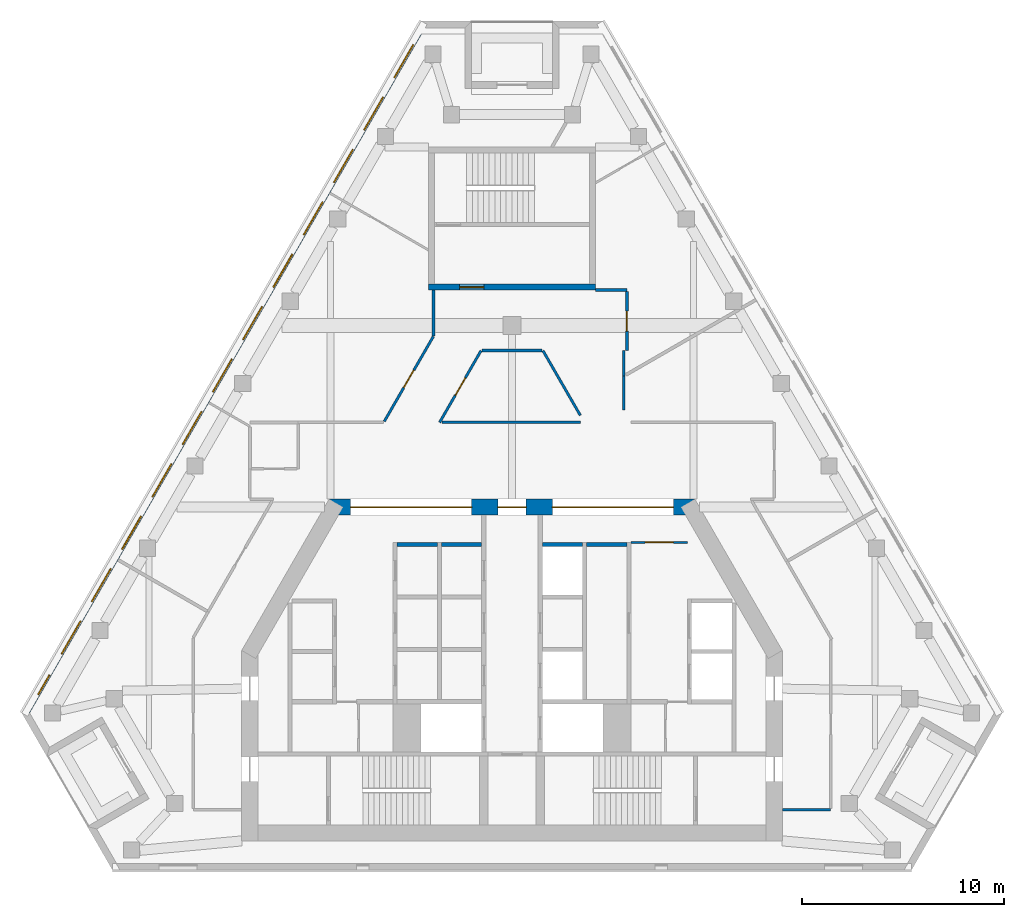
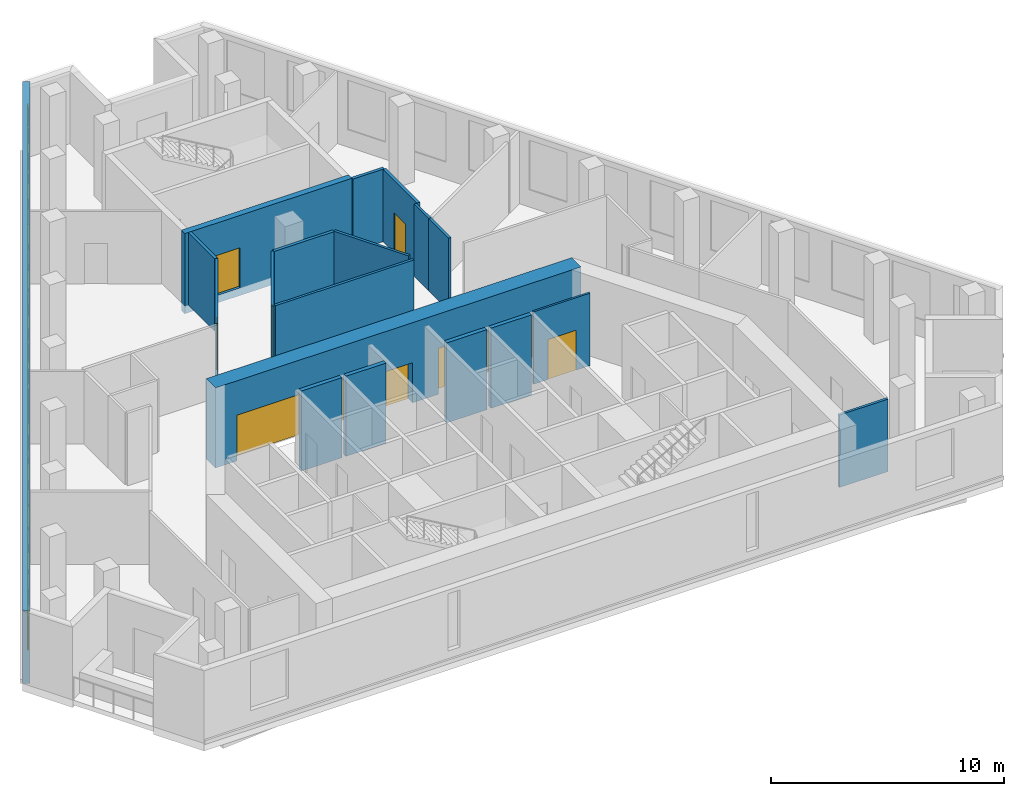
# One storey, part 4 of 8: 19 walls, 13 windows, 8 doors, 21 openings.
"""IFC4 building model written with IfcOpenShell, lengths in metres."""

from ifc_helpers import new_model, si_unit, direction, frame, frame_2d, origin, place, context, subcontext, project, spatial, rectangle, extrude, material, layer, layer_set, type_object, element, fill, save


model = new_model("IFC4")

# Units and contexts
model_context = context("Model", 3, precision=1e-05, world=origin(), true_north=direction((0.0, 1.0)))
body_context = subcontext(model_context, "Body", "Model", "MODEL_VIEW")
ifc_project = project(units=[si_unit("LENGTHUNIT", "METRE"), si_unit("AREAUNIT", "SQUARE_METRE"), si_unit("VOLUMEUNIT", "CUBIC_METRE"), si_unit("PLANEANGLEUNIT", "RADIAN"), si_unit("MASSUNIT", "GRAM", prefix="KILO")], contexts=[model_context])

# Site, building, storey
site_placement = place(None, origin())
site = spatial("IfcSite", under=ifc_project, at=site_placement, CompositionType="ELEMENT")
building_placement = place(site_placement, origin())
building = spatial("IfcBuilding", under=site, at=building_placement, Name="Fogline Exchange Tower", CompositionType="ELEMENT")
storey_placement = place(building_placement, frame((0.0, 0.0, 330.89990234375)))
storey = spatial("IfcBuildingStorey", under=building, at=storey_placement, Name="L75", CompositionType="ELEMENT", Elevation=330.89990234375)

# Wall, opening, door
ifc_material_1 = material(Name="Blockwork partition", Category="masonry")
ifc_layer_1 = layer(ifc_material_1, 0.10009765625)
ifc_layer_set_1 = layer_set([ifc_layer_1], Name="CW10")
wall_type_1 = type_object("IfcWallType", Name="CW10", PredefinedType="PARTITIONING", material=ifc_layer_set_1)
wall_1_placement = place(storey_placement, frame((5.89990234375, 16.25, 0.0), z_axis=(0.0, 0.0, 1.0), x_axis=(1.0, 0.0, 0.0)))
wall_1 = element("IfcWall", 1, at=wall_1_placement, inside=storey, type_object=wall_type_1, Name="Lift lobby partition", PredefinedType="PARTITIONING", context=body_context, shape_type="SweptSolid", body=[
    extrude(rectangle(XDim=2.800048828125, YDim=0.10009765625, at=frame_2d((1.39990234375, 0.0))), origin(), (0.0, 0.0, 1.0), 3.800048828125),
])
opening_1_placement = place(wall_1_placement, frame((0.699951171875, 0.0, 0.0)))
opening_1 = element("IfcOpeningElement", 2, at=opening_1_placement, cuts=wall_1, Name="Opening T23-C017", PredefinedType="OPENING", context=body_context, shape_type="SweptSolid", body=[
    extrude(rectangle(XDim=1.39990234375, YDim=2.10009765625, at=frame_2d((0.699951171875, 1.050048828125))), frame((0.0, 0.06005859375, 0.0), z_axis=(0.0, -1.0, 0.0), x_axis=(1.0, 0.0, 0.0)), (0.0, 0.0, 1.0), 0.1201171875),
])
ifc_material_2 = material(Name="Steel and timber fire door", Category="steel")
door_type_1 = type_object("IfcDoorType", Name="D-LB1", OperationType="DOUBLE_DOOR_SINGLE_SWING", PredefinedType="DOOR", material=ifc_material_2)
door_1_placement = place(opening_1_placement, origin())
door_1 = element("IfcDoor", 3, at=door_1_placement, inside=storey, type_object=door_type_1, Name="Door to lift lobby", OperationType="DOUBLE_DOOR_SINGLE_SWING", OverallHeight=2.10009765625, OverallWidth=1.39990234375, PredefinedType="DOOR", context=body_context, shape_type="SweptSolid", body=[
    extrude(rectangle(XDim=1.39990234375, YDim=2.10009765625, at=frame_2d((0.699951171875, 1.050048828125))), frame((0.0, 0.02490234375, 0.0), z_axis=(0.0, -1.0, 0.0), x_axis=(1.0, 0.0, 0.0)), (0.0, 0.0, 1.0), 0.050048828125),
])
fill(opening_1, door_1)

# Walls
ifc_material_3 = material(Name="Concrete C40", Category="concrete")
ifc_layer_2 = layer(ifc_material_3, 0.199951171875)
ifc_layer_set_2 = layer_set([ifc_layer_2], Name="CW20S")
wall_type_2 = type_object("IfcWallType", Name="CW20S", PredefinedType="SOLIDWALL", material=ifc_layer_set_2)
for number, where, z_axis, x_axis, name in (
    (4, (-5.699951171875, 16.14990234375, -0.39990234375), (0.0, 0.0, 1.0), (1.0, 0.0, 0.0), "Lift shaft wall"),
    (5, (-3.5, 16.14990234375, -0.39990234375), (0.0, 0.0, 1.0), (1.0, 0.0, 0.0), "Lift shaft wall"),
    (6, (3.699951171875, 16.14990234375, -0.39990234375), (0.0, 0.0, 1.0), (1.0, 0.0, 0.0), "Lift shaft wall"),
    (7, (1.5, 16.14990234375, -0.39990234375), (0.0, 0.0, 1.0), (1.0, 0.0, 0.0), "Lift shaft wall"),
):
    element("IfcWall", number, at=place(storey_placement, frame(where, z_axis=z_axis, x_axis=x_axis)), inside=storey, type_object=wall_type_2, Name=name, PredefinedType="SOLIDWALL", context=body_context, shape_type="SweptSolid", body=[
        extrude(rectangle(XDim=2.0, YDim=0.199951171875, at=frame_2d((1.0, 0.0))), origin(), (0.0, 0.0, 1.0), 4.199951171875),
    ])

# Wall, opening, door
ifc_layer_3 = layer(ifc_material_3, 0.300048828125)
ifc_layer_set_3 = layer_set([ifc_layer_3], Name="CW30")
wall_type_3 = type_object("IfcWallType", Name="CW30", PredefinedType="SOLIDWALL", material=ifc_layer_set_3)
wall_2_placement = place(storey_placement, frame((-4.14990234375, 28.906982421875, -0.39990234375), z_axis=(0.0, 0.0, 1.0), x_axis=(1.0, 0.0, 0.0)))
wall_2 = element("IfcWall", 8, at=wall_2_placement, inside=storey, type_object=wall_type_3, Name="Stair enclosure wall ST3", PredefinedType="SOLIDWALL", context=body_context, shape_type="SweptSolid", body=[
    extrude(rectangle(XDim=8.2998046875, YDim=0.300048828125, at=frame_2d((4.14990234375, 0.0))), origin(), (0.0, 0.0, 1.0), 4.199951171875),
])
opening_2_placement = place(wall_2_placement, frame((1.550048828125, 0.0, 0.39990234375)))
opening_2 = element("IfcOpeningElement", 9, at=opening_2_placement, cuts=wall_2, Name="Opening T23-C026", PredefinedType="OPENING", context=body_context, shape_type="SweptSolid", body=[
    extrude(rectangle(XDim=1.199951171875, YDim=2.10009765625, at=frame_2d((0.60009765625, 1.050048828125))), frame((0.0, 0.16015625, 0.0), z_axis=(0.0, -1.0, 0.0), x_axis=(1.0, 0.0, 0.0)), (0.0, 0.0, 1.0), 0.320068359375),
])
door_type_2 = type_object("IfcDoorType", Name="D-FR1", OperationType="SINGLE_SWING_RIGHT", PredefinedType="DOOR", material=ifc_material_2)
door_2_placement = place(opening_2_placement, origin())
door_2 = element("IfcDoor", 10, at=door_2_placement, inside=storey, type_object=door_type_2, Name="Front room door ST3", OperationType="SINGLE_SWING_LEFT", OverallHeight=2.10009765625, OverallWidth=1.199951171875, PredefinedType="DOOR", context=body_context, shape_type="SweptSolid", body=[
    extrude(rectangle(XDim=1.199951171875, YDim=2.10009765625, at=frame_2d((0.60009765625, 1.050048828125))), frame((0.0, 0.02490234375, 0.0), z_axis=(0.0, -1.0, 0.0), x_axis=(1.0, 0.0, 0.0)), (0.0, 0.0, 1.0), 0.050048828125),
])
fill(opening_2, door_2)

# Wall, openings, windows
ifc_material_4 = material(Name="Brick masonry", Category="masonry")
ifc_layer_4 = layer(ifc_material_4, 0.340087890625)
ifc_layer_set_4 = layer_set([ifc_layer_4], Name="FW1")
wall_type_4 = type_object("IfcWallType", Name="FW1", PredefinedType="SOLIDWALL", material=ifc_layer_set_4)
wall_3_placement = place(storey_placement, frame((-4.352783203125, 42.0166015625, 0.0), z_axis=(0.0, 0.0, 1.0), x_axis=(-0.500000037544, -0.866025382108, 0.0)))
wall_3 = element("IfcWall", 11, at=wall_3_placement, inside=storey, type_object=wall_type_4, Name="Brick wall L75 W", PredefinedType="SOLIDWALL", context=body_context, shape_type="SweptSolid", body=[
    extrude(rectangle(XDim=39.61474609375, YDim=0.340087890625, at=frame_2d((19.807373046875, 0.0))), origin(), (0.0, 0.0, 1.0), 3.800048828125),
])
opening_3_placement = place(wall_3_placement, frame((1.211181640625, 0.0, 0.89990234375)))
opening_3 = element("IfcOpeningElement", 12, at=opening_3_placement, cuts=wall_3, Name="Opening W3", PredefinedType="OPENING", context=body_context, shape_type="SweptSolid", body=[
    extrude(rectangle(XDim=1.885009765625, YDim=2.60009765625, at=frame_2d((0.9423828125, 1.300048828125))), frame((0.0, 0.18017578125, 0.0), z_axis=(0.0, -1.0, 0.0), x_axis=(1.0, 0.0, 0.0)), (0.0, 0.0, 1.0), 0.360107421875),
])
opening_4_placement = place(wall_3_placement, frame((4.211181640625, 0.0, 0.89990234375)))
opening_4 = element("IfcOpeningElement", 13, at=opening_4_placement, cuts=wall_3, Name="Opening W3", PredefinedType="OPENING", context=body_context, shape_type="SweptSolid", body=[
    extrude(rectangle(XDim=1.885009765625, YDim=2.60009765625, at=frame_2d((0.9423828125, 1.300048828125))), frame((0.0, 0.18017578125, 0.0), z_axis=(0.0, -1.0, 0.0), x_axis=(1.0, 0.0, 0.0)), (0.0, 0.0, 1.0), 0.360107421875),
])
opening_5_placement = place(wall_3_placement, frame((7.211181640625, 0.0, 0.89990234375)))
opening_5 = element("IfcOpeningElement", 14, at=opening_5_placement, cuts=wall_3, Name="Opening W3", PredefinedType="OPENING", context=body_context, shape_type="SweptSolid", body=[
    extrude(rectangle(XDim=1.885009765625, YDim=2.60009765625, at=frame_2d((0.9423828125, 1.300048828125))), frame((0.0, 0.18017578125, 0.0), z_axis=(0.0, -1.0, 0.0), x_axis=(1.0, 0.0, 0.0)), (0.0, 0.0, 1.0), 0.360107421875),
])
opening_6_placement = place(wall_3_placement, frame((10.211181640625, 0.0, 0.89990234375)))
opening_6 = element("IfcOpeningElement", 15, at=opening_6_placement, cuts=wall_3, Name="Opening W3", PredefinedType="OPENING", context=body_context, shape_type="SweptSolid", body=[
    extrude(rectangle(XDim=1.885009765625, YDim=2.60009765625, at=frame_2d((0.9423828125, 1.300048828125))), frame((0.0, 0.18017578125, 0.0), z_axis=(0.0, -1.0, 0.0), x_axis=(1.0, 0.0, 0.0)), (0.0, 0.0, 1.0), 0.360107421875),
])
opening_7_placement = place(wall_3_placement, frame((13.211181640625, 0.0, 0.89990234375)))
opening_7 = element("IfcOpeningElement", 16, at=opening_7_placement, cuts=wall_3, Name="Opening W3", PredefinedType="OPENING", context=body_context, shape_type="SweptSolid", body=[
    extrude(rectangle(XDim=1.885009765625, YDim=2.60009765625, at=frame_2d((0.9423828125, 1.300048828125))), frame((0.0, 0.18017578125, 0.0), z_axis=(0.0, -1.0, 0.0), x_axis=(1.0, 0.0, 0.0)), (0.0, 0.0, 1.0), 0.360107421875),
])
opening_8_placement = place(wall_3_placement, frame((16.211181640625, 0.0, 0.89990234375)))
opening_8 = element("IfcOpeningElement", 17, at=opening_8_placement, cuts=wall_3, Name="Opening W3", PredefinedType="OPENING", context=body_context, shape_type="SweptSolid", body=[
    extrude(rectangle(XDim=1.885009765625, YDim=2.60009765625, at=frame_2d((0.9423828125, 1.300048828125))), frame((0.0, 0.18017578125, 0.0), z_axis=(0.0, -1.0, 0.0), x_axis=(1.0, 0.0, 0.0)), (0.0, 0.0, 1.0), 0.360107421875),
])
opening_9_placement = place(wall_3_placement, frame((19.211181640625, 0.0, 0.89990234375)))
opening_9 = element("IfcOpeningElement", 18, at=opening_9_placement, cuts=wall_3, Name="Opening W3", PredefinedType="OPENING", context=body_context, shape_type="SweptSolid", body=[
    extrude(rectangle(XDim=1.885009765625, YDim=2.60009765625, at=frame_2d((0.9423828125, 1.300048828125))), frame((0.0, 0.18017578125, 0.0), z_axis=(0.0, -1.0, 0.0), x_axis=(1.0, 0.0, 0.0)), (0.0, 0.0, 1.0), 0.360107421875),
])
opening_10_placement = place(wall_3_placement, frame((22.211181640625, 0.0, 0.89990234375)))
opening_10 = element("IfcOpeningElement", 19, at=opening_10_placement, cuts=wall_3, Name="Opening W3", PredefinedType="OPENING", context=body_context, shape_type="SweptSolid", body=[
    extrude(rectangle(XDim=1.885009765625, YDim=2.60009765625, at=frame_2d((0.9423828125, 1.300048828125))), frame((0.0, 0.18017578125, 0.0), z_axis=(0.0, -1.0, 0.0), x_axis=(1.0, 0.0, 0.0)), (0.0, 0.0, 1.0), 0.360107421875),
])
opening_11_placement = place(wall_3_placement, frame((25.211181640625, 0.0, 0.89990234375)))
opening_11 = element("IfcOpeningElement", 20, at=opening_11_placement, cuts=wall_3, Name="Opening W3", PredefinedType="OPENING", context=body_context, shape_type="SweptSolid", body=[
    extrude(rectangle(XDim=1.885009765625, YDim=2.60009765625, at=frame_2d((0.9423828125, 1.300048828125))), frame((0.0, 0.18017578125, 0.0), z_axis=(0.0, -1.0, 0.0), x_axis=(1.0, 0.0, 0.0)), (0.0, 0.0, 1.0), 0.360107421875),
])
opening_12_placement = place(wall_3_placement, frame((28.211181640625, 0.0, 0.89990234375)))
opening_12 = element("IfcOpeningElement", 21, at=opening_12_placement, cuts=wall_3, Name="Opening W3", PredefinedType="OPENING", context=body_context, shape_type="SweptSolid", body=[
    extrude(rectangle(XDim=1.885009765625, YDim=2.60009765625, at=frame_2d((0.9423828125, 1.300048828125))), frame((0.0, 0.18017578125, 0.0), z_axis=(0.0, -1.0, 0.0), x_axis=(1.0, 0.0, 0.0)), (0.0, 0.0, 1.0), 0.360107421875),
])
opening_13_placement = place(wall_3_placement, frame((31.211181640625, 0.0, 0.89990234375)))
opening_13 = element("IfcOpeningElement", 22, at=opening_13_placement, cuts=wall_3, Name="Opening W3", PredefinedType="OPENING", context=body_context, shape_type="SweptSolid", body=[
    extrude(rectangle(XDim=1.885009765625, YDim=2.60009765625, at=frame_2d((0.9423828125, 1.300048828125))), frame((0.0, 0.18017578125, 0.0), z_axis=(0.0, -1.0, 0.0), x_axis=(1.0, 0.0, 0.0)), (0.0, 0.0, 1.0), 0.360107421875),
])
opening_14_placement = place(wall_3_placement, frame((34.211181640625, 0.0, 0.89990234375)))
opening_14 = element("IfcOpeningElement", 23, at=opening_14_placement, cuts=wall_3, Name="Opening W3", PredefinedType="OPENING", context=body_context, shape_type="SweptSolid", body=[
    extrude(rectangle(XDim=1.885009765625, YDim=2.60009765625, at=frame_2d((0.9423828125, 1.300048828125))), frame((0.0, 0.18017578125, 0.0), z_axis=(0.0, -1.0, 0.0), x_axis=(1.0, 0.0, 0.0)), (0.0, 0.0, 1.0), 0.360107421875),
])
opening_15_placement = place(wall_3_placement, frame((37.2978515625, 0.0, 0.89990234375)))
opening_15 = element("IfcOpeningElement", 24, at=opening_15_placement, cuts=wall_3, Name="Opening W4", PredefinedType="OPENING", context=body_context, shape_type="SweptSolid", body=[
    extrude(rectangle(XDim=1.114990234375, YDim=2.39990234375, at=frame_2d((0.5576171875, 1.199951171875))), frame((0.0, 0.18017578125, 0.0), z_axis=(0.0, -1.0, 0.0), x_axis=(1.0, 0.0, 0.0)), (0.0, 0.0, 1.0), 0.360107421875),
])
ifc_material_5 = material(Name="Aluminium and glass", Category="aluminium")
window_type_1 = type_object("IfcWindowType", Name="W3", PartitioningType="SINGLE_PANEL", PredefinedType="WINDOW", material=ifc_material_5)
window_1_placement = place(opening_3_placement, origin())
window_1 = element("IfcWindow", 25, at=window_1_placement, inside=storey, type_object=window_type_1, Name="W3 W3", OverallHeight=2.60009765625, OverallWidth=1.885009765625, PartitioningType="SINGLE_PANEL", PredefinedType="WINDOW", context=body_context, shape_type="SweptSolid", body=[
    extrude(rectangle(XDim=1.885009765625, YDim=2.60009765625, at=frame_2d((0.9423828125, 1.300048828125))), frame((0.0, 0.110107421875, 0.0), z_axis=(0.0, -1.0, 0.0), x_axis=(1.0, 0.0, 0.0)), (0.0, 0.0, 1.0), 0.06005859375),
])
fill(opening_3, window_1)
window_2_placement = place(opening_4_placement, origin())
window_2 = element("IfcWindow", 26, at=window_2_placement, inside=storey, type_object=window_type_1, Name="W3 W3", OverallHeight=2.60009765625, OverallWidth=1.885009765625, PartitioningType="SINGLE_PANEL", PredefinedType="WINDOW", context=body_context, shape_type="SweptSolid", body=[
    extrude(rectangle(XDim=1.885009765625, YDim=2.60009765625, at=frame_2d((0.9423828125, 1.300048828125))), frame((0.0, 0.110107421875, 0.0), z_axis=(0.0, -1.0, 0.0), x_axis=(1.0, 0.0, 0.0)), (0.0, 0.0, 1.0), 0.06005859375),
])
fill(opening_4, window_2)
window_3_placement = place(opening_5_placement, origin())
window_3 = element("IfcWindow", 27, at=window_3_placement, inside=storey, type_object=window_type_1, Name="W3 W3", OverallHeight=2.60009765625, OverallWidth=1.885009765625, PartitioningType="SINGLE_PANEL", PredefinedType="WINDOW", context=body_context, shape_type="SweptSolid", body=[
    extrude(rectangle(XDim=1.885009765625, YDim=2.60009765625, at=frame_2d((0.9423828125, 1.300048828125))), frame((0.0, 0.110107421875, 0.0), z_axis=(0.0, -1.0, 0.0), x_axis=(1.0, 0.0, 0.0)), (0.0, 0.0, 1.0), 0.06005859375),
])
fill(opening_5, window_3)
window_4_placement = place(opening_6_placement, origin())
window_4 = element("IfcWindow", 28, at=window_4_placement, inside=storey, type_object=window_type_1, Name="W3 W3", OverallHeight=2.60009765625, OverallWidth=1.885009765625, PartitioningType="SINGLE_PANEL", PredefinedType="WINDOW", context=body_context, shape_type="SweptSolid", body=[
    extrude(rectangle(XDim=1.885009765625, YDim=2.60009765625, at=frame_2d((0.9423828125, 1.300048828125))), frame((0.0, 0.110107421875, 0.0), z_axis=(0.0, -1.0, 0.0), x_axis=(1.0, 0.0, 0.0)), (0.0, 0.0, 1.0), 0.06005859375),
])
fill(opening_6, window_4)
window_5_placement = place(opening_7_placement, origin())
window_5 = element("IfcWindow", 29, at=window_5_placement, inside=storey, type_object=window_type_1, Name="W3 W3", OverallHeight=2.60009765625, OverallWidth=1.885009765625, PartitioningType="SINGLE_PANEL", PredefinedType="WINDOW", context=body_context, shape_type="SweptSolid", body=[
    extrude(rectangle(XDim=1.885009765625, YDim=2.60009765625, at=frame_2d((0.9423828125, 1.300048828125))), frame((0.0, 0.110107421875, 0.0), z_axis=(0.0, -1.0, 0.0), x_axis=(1.0, 0.0, 0.0)), (0.0, 0.0, 1.0), 0.06005859375),
])
fill(opening_7, window_5)
window_6_placement = place(opening_8_placement, origin())
window_6 = element("IfcWindow", 30, at=window_6_placement, inside=storey, type_object=window_type_1, Name="W3 W3", OverallHeight=2.60009765625, OverallWidth=1.885009765625, PartitioningType="SINGLE_PANEL", PredefinedType="WINDOW", context=body_context, shape_type="SweptSolid", body=[
    extrude(rectangle(XDim=1.885009765625, YDim=2.60009765625, at=frame_2d((0.9423828125, 1.300048828125))), frame((0.0, 0.110107421875, 0.0), z_axis=(0.0, -1.0, 0.0), x_axis=(1.0, 0.0, 0.0)), (0.0, 0.0, 1.0), 0.06005859375),
])
fill(opening_8, window_6)
window_7_placement = place(opening_9_placement, origin())
window_7 = element("IfcWindow", 31, at=window_7_placement, inside=storey, type_object=window_type_1, Name="W3 W3", OverallHeight=2.60009765625, OverallWidth=1.885009765625, PartitioningType="SINGLE_PANEL", PredefinedType="WINDOW", context=body_context, shape_type="SweptSolid", body=[
    extrude(rectangle(XDim=1.885009765625, YDim=2.60009765625, at=frame_2d((0.9423828125, 1.300048828125))), frame((0.0, 0.110107421875, 0.0), z_axis=(0.0, -1.0, 0.0), x_axis=(1.0, 0.0, 0.0)), (0.0, 0.0, 1.0), 0.06005859375),
])
fill(opening_9, window_7)
window_8_placement = place(opening_10_placement, origin())
window_8 = element("IfcWindow", 32, at=window_8_placement, inside=storey, type_object=window_type_1, Name="W3 W3", OverallHeight=2.60009765625, OverallWidth=1.885009765625, PartitioningType="SINGLE_PANEL", PredefinedType="WINDOW", context=body_context, shape_type="SweptSolid", body=[
    extrude(rectangle(XDim=1.885009765625, YDim=2.60009765625, at=frame_2d((0.9423828125, 1.300048828125))), frame((0.0, 0.110107421875, 0.0), z_axis=(0.0, -1.0, 0.0), x_axis=(1.0, 0.0, 0.0)), (0.0, 0.0, 1.0), 0.06005859375),
])
fill(opening_10, window_8)
window_9_placement = place(opening_11_placement, origin())
window_9 = element("IfcWindow", 33, at=window_9_placement, inside=storey, type_object=window_type_1, Name="W3 W3", OverallHeight=2.60009765625, OverallWidth=1.885009765625, PartitioningType="SINGLE_PANEL", PredefinedType="WINDOW", context=body_context, shape_type="SweptSolid", body=[
    extrude(rectangle(XDim=1.885009765625, YDim=2.60009765625, at=frame_2d((0.9423828125, 1.300048828125))), frame((0.0, 0.110107421875, 0.0), z_axis=(0.0, -1.0, 0.0), x_axis=(1.0, 0.0, 0.0)), (0.0, 0.0, 1.0), 0.06005859375),
])
fill(opening_11, window_9)
window_10_placement = place(opening_12_placement, origin())
window_10 = element("IfcWindow", 34, at=window_10_placement, inside=storey, type_object=window_type_1, Name="W3 W3", OverallHeight=2.60009765625, OverallWidth=1.885009765625, PartitioningType="SINGLE_PANEL", PredefinedType="WINDOW", context=body_context, shape_type="SweptSolid", body=[
    extrude(rectangle(XDim=1.885009765625, YDim=2.60009765625, at=frame_2d((0.9423828125, 1.300048828125))), frame((0.0, 0.110107421875, 0.0), z_axis=(0.0, -1.0, 0.0), x_axis=(1.0, 0.0, 0.0)), (0.0, 0.0, 1.0), 0.06005859375),
])
fill(opening_12, window_10)
window_11_placement = place(opening_13_placement, origin())
window_11 = element("IfcWindow", 35, at=window_11_placement, inside=storey, type_object=window_type_1, Name="W3 W3", OverallHeight=2.60009765625, OverallWidth=1.885009765625, PartitioningType="SINGLE_PANEL", PredefinedType="WINDOW", context=body_context, shape_type="SweptSolid", body=[
    extrude(rectangle(XDim=1.885009765625, YDim=2.60009765625, at=frame_2d((0.9423828125, 1.300048828125))), frame((0.0, 0.110107421875, 0.0), z_axis=(0.0, -1.0, 0.0), x_axis=(1.0, 0.0, 0.0)), (0.0, 0.0, 1.0), 0.06005859375),
])
fill(opening_13, window_11)
window_12_placement = place(opening_14_placement, origin())
window_12 = element("IfcWindow", 36, at=window_12_placement, inside=storey, type_object=window_type_1, Name="W3 W3", OverallHeight=2.60009765625, OverallWidth=1.885009765625, PartitioningType="SINGLE_PANEL", PredefinedType="WINDOW", context=body_context, shape_type="SweptSolid", body=[
    extrude(rectangle(XDim=1.885009765625, YDim=2.60009765625, at=frame_2d((0.9423828125, 1.300048828125))), frame((0.0, 0.110107421875, 0.0), z_axis=(0.0, -1.0, 0.0), x_axis=(1.0, 0.0, 0.0)), (0.0, 0.0, 1.0), 0.06005859375),
])
fill(opening_14, window_12)
window_type_2 = type_object("IfcWindowType", Name="W4", PartitioningType="SINGLE_PANEL", PredefinedType="WINDOW", material=ifc_material_5)
window_13_placement = place(opening_15_placement, origin())
window_13 = element("IfcWindow", 37, at=window_13_placement, inside=storey, type_object=window_type_2, Name="W4 W4", OverallHeight=2.39990234375, OverallWidth=1.114990234375, PartitioningType="SINGLE_PANEL", PredefinedType="WINDOW", context=body_context, shape_type="SweptSolid", body=[
    extrude(rectangle(XDim=1.114990234375, YDim=2.39990234375, at=frame_2d((0.5576171875, 1.199951171875))), frame((0.0, 0.110107421875, 0.0), z_axis=(0.0, -1.0, 0.0), x_axis=(1.0, 0.0, 0.0)), (0.0, 0.0, 1.0), 0.06005859375),
])
fill(opening_15, window_13)

# Walls
ifc_material_6 = material(Name="Plasterboard corridor partition with mineral wool, 2 layers each side")
ifc_layer_5 = layer(ifc_material_6, 0.125)
ifc_layer_set_5 = layer_set([ifc_layer_5], Name="PW2")
wall_type_5 = type_object("IfcWallType", Name="PW2", PredefinedType="PARTITIONING", material=ifc_layer_set_5)
wall_4_placement = place(storey_placement, frame((15.800048828125, 3.0, 0.0), z_axis=(0.0, 0.0, 1.0), x_axis=(-1.0, 0.0, 0.0)))
element("IfcWall", 38, at=wall_4_placement, inside=storey, type_object=wall_type_5, Name="wall-L75-W004", PredefinedType="PARTITIONING", context=body_context, shape_type="SweptSolid", body=[
    extrude(rectangle(XDim=2.400146484375, YDim=0.125, at=frame_2d((1.2001953125, 0.0))), origin(), (0.0, 0.0, 1.0), 3.800048828125),
])
wall_5_placement = place(storey_placement, frame((-3.47998046875, 22.199951171875, 0.0), z_axis=(0.0, 0.0, 1.0), x_axis=(1.0, 0.0, 0.0)))
element("IfcWall", 39, at=wall_5_placement, inside=storey, type_object=wall_type_5, Name="wall-L75-W008", PredefinedType="PARTITIONING", context=body_context, shape_type="SweptSolid", body=[
    extrude(rectangle(XDim=6.867431640625, YDim=0.125, at=frame_2d((3.43359375, 0.0))), origin(), (0.0, 0.0, 1.0), 3.800048828125),
])
wall_6_placement = place(storey_placement, frame((5.550048828125, 24.5, 0.0), z_axis=(0.0, 0.0, 1.0), x_axis=(0.0, -1.0, 0.0)))
element("IfcWall", 40, at=wall_6_placement, inside=storey, type_object=wall_type_5, Name="wall-L75-W022", PredefinedType="PARTITIONING", context=body_context, shape_type="SweptSolid", body=[
    extrude(rectangle(XDim=1.697021484375, YDim=0.125, at=frame_2d((0.8486328125, 0.0))), origin(), (0.0, 0.0, 1.0), 3.800048828125),
])
wall_7_placement = place(storey_placement, frame((5.550048828125, 25.757080078125, 0.0), z_axis=(0.0, 0.0, 1.0), x_axis=(0.0, -1.0, 0.0)))
element("IfcWall", 41, at=wall_7_placement, inside=storey, type_object=wall_type_5, Name="wall-L75-W023", PredefinedType="PARTITIONING", context=body_context, shape_type="SweptSolid", body=[
    extrude(rectangle(XDim=1.257080078125, YDim=0.125, at=frame_2d((0.62841796875, 0.0))), origin(), (0.0, 0.0, 1.0), 3.800048828125),
])

# Wall, opening, door
wall_8_placement = place(storey_placement, frame((-1.53515625, 25.757080078125, 0.0), z_axis=(0.0, 0.0, 1.0), x_axis=(-0.499955712069, -0.866050971923, 0.0)))
wall_8 = element("IfcWall", 42, at=wall_8_placement, inside=storey, type_object=wall_type_5, Name="wall-L75-W024", PredefinedType="PARTITIONING", context=body_context, shape_type="SweptSolid", body=[
    extrude(rectangle(XDim=4.107177734375, YDim=0.125, at=frame_2d((2.0537109375, 0.0))), origin(), (0.0, 0.0, 1.0), 3.800048828125),
])
opening_16_placement = place(wall_8_placement, frame((1.5537109375, 0.0, 0.0)))
opening_16 = element("IfcOpeningElement", 43, at=opening_16_placement, cuts=wall_8, Name="Opening T23-D007", PredefinedType="OPENING", context=body_context, shape_type="SweptSolid", body=[
    extrude(rectangle(XDim=1.0, YDim=2.10009765625, at=frame_2d((0.5, 1.050048828125))), frame((0.0, 0.072509765625, 0.0), z_axis=(0.0, -1.0, 0.0), x_axis=(1.0, 0.0, 0.0)), (0.0, 0.0, 1.0), 0.14501953125),
])
ifc_material_7 = material(Name="Fire-rated timber door leaf with steel frame", Category="steel")
door_type_3 = type_object("IfcDoorType", Name="D3", OperationType="SINGLE_SWING_LEFT", PredefinedType="DOOR", material=ifc_material_7)
door_3_placement = place(opening_16_placement, origin())
door_3 = element("IfcDoor", 44, at=door_3_placement, inside=storey, type_object=door_type_3, Name="door-L75-D007", OperationType="SINGLE_SWING_LEFT", OverallHeight=2.10009765625, OverallWidth=1.0, PredefinedType="DOOR", context=body_context, shape_type="SweptSolid", body=[
    extrude(rectangle(XDim=1.0, YDim=2.10009765625, at=frame_2d((0.5, 1.050048828125))), frame((0.0, 0.02490234375, 0.0), z_axis=(0.0, -1.0, 0.0), x_axis=(1.0, 0.0, 0.0)), (0.0, 0.0, 1.0), 0.050048828125),
])
fill(opening_16, door_3)

wall_9_placement = place(storey_placement, frame((-6.3330078125, 22.246826171875, 0.0), z_axis=(0.0, 0.0, 1.0), x_axis=(0.500013433606, 0.86601764775, 0.0)))
wall_9 = element("IfcWall", 45, at=wall_9_placement, inside=storey, type_object=wall_type_5, Name="wall-L75-W025", PredefinedType="PARTITIONING", context=body_context, shape_type="SweptSolid", body=[
    extrude(rectangle(XDim=4.865966796875, YDim=0.125, at=frame_2d((2.43310546875, 0.0))), origin(), (0.0, 0.0, 1.0), 3.800048828125),
])
opening_17_placement = place(wall_9_placement, frame((1.93310546875, 0.0, 0.0)))
opening_17 = element("IfcOpeningElement", 46, at=opening_17_placement, cuts=wall_9, Name="Opening T23-D008", PredefinedType="OPENING", context=body_context, shape_type="SweptSolid", body=[
    extrude(rectangle(XDim=1.0, YDim=2.10009765625, at=frame_2d((0.5, 1.050048828125))), frame((0.0, 0.072509765625, 0.0), z_axis=(0.0, -1.0, 0.0), x_axis=(1.0, 0.0, 0.0)), (0.0, 0.0, 1.0), 0.14501953125),
])
door_4_placement = place(opening_17_placement, origin())
door_4 = element("IfcDoor", 47, at=door_4_placement, inside=storey, type_object=door_type_3, Name="door-L75-D008", OperationType="SINGLE_SWING_LEFT", OverallHeight=2.10009765625, OverallWidth=1.0, PredefinedType="DOOR", context=body_context, shape_type="SweptSolid", body=[
    extrude(rectangle(XDim=1.0, YDim=2.10009765625, at=frame_2d((0.5, 1.050048828125))), frame((0.0, 0.02490234375, 0.0), z_axis=(0.0, -1.0, 0.0), x_axis=(1.0, 0.0, 0.0)), (0.0, 0.0, 1.0), 0.050048828125),
])
fill(opening_17, door_4)

# Walls
wall_10_placement = place(storey_placement, frame((3.387451171875, 22.548583984375, 0.0), z_axis=(0.0, 0.0, 1.0), x_axis=(-0.499973447315, 0.866040733441, 0.0)))
element("IfcWall", 48, at=wall_10_placement, inside=storey, type_object=wall_type_5, Name="wall-L75-W026", PredefinedType="PARTITIONING", context=body_context, shape_type="SweptSolid", body=[
    extrude(rectangle(XDim=3.704833984375, YDim=0.125, at=frame_2d((1.8525390625, 0.0))), origin(), (0.0, 0.0, 1.0), 3.800048828125),
])
ifc_material_8 = material(Name="Plasterboard stair lobby partition, 3 layers each side on steel studs", Category="steel")
ifc_layer_6 = layer(ifc_material_8, 0.14990234375)
ifc_layer_set_6 = layer_set([ifc_layer_6], Name="PW4")
wall_type_6 = type_object("IfcWallType", Name="PW4", PredefinedType="PARTITIONING", material=ifc_layer_set_6)
wall_11_placement = place(storey_placement, frame((4.14990234375, 28.757080078125, 0.0), z_axis=(0.0, 0.0, 1.0), x_axis=(1.0, 0.0, 0.0)))
element("IfcWall", 49, at=wall_11_placement, inside=storey, type_object=wall_type_6, Name="wall-L75-W018", PredefinedType="PARTITIONING", context=body_context, shape_type="SweptSolid", body=[
    extrude(rectangle(XDim=1.550048828125, YDim=0.14990234375, at=frame_2d((0.77490234375, 0.0))), origin(), (0.0, 0.0, 1.0), 3.800048828125),
])

# Wall, opening, door
wall_12_placement = place(storey_placement, frame((5.699951171875, 28.681884765625, 0.0), z_axis=(0.0, 0.0, 1.0), x_axis=(0.0, -1.0, 0.0)))
wall_12 = element("IfcWall", 50, at=wall_12_placement, inside=storey, type_object=wall_type_6, Name="wall-L75-W019", PredefinedType="PARTITIONING", context=body_context, shape_type="SweptSolid", body=[
    extrude(rectangle(XDim=2.9248046875, YDim=0.14990234375, at=frame_2d((1.46240234375, 0.0))), origin(), (0.0, 0.0, 1.0), 3.800048828125),
])
opening_18_placement = place(wall_12_placement, frame((0.96240234375, 0.0, 0.0)))
opening_18 = element("IfcOpeningElement", 51, at=opening_18_placement, cuts=wall_12, Name="Opening T23-D006", PredefinedType="OPENING", context=body_context, shape_type="SweptSolid", body=[
    extrude(rectangle(XDim=1.0, YDim=2.10009765625, at=frame_2d((0.5, 1.050048828125))), frame((0.0, 0.0849609375, 0.0), z_axis=(0.0, -1.0, 0.0), x_axis=(1.0, 0.0, 0.0)), (0.0, 0.0, 1.0), 0.169921875),
])
door_5_placement = place(opening_18_placement, origin())
door_5 = element("IfcDoor", 52, at=door_5_placement, inside=storey, type_object=door_type_3, Name="door-L75-D006", OperationType="SINGLE_SWING_LEFT", OverallHeight=2.10009765625, OverallWidth=1.0, PredefinedType="DOOR", context=body_context, shape_type="SweptSolid", body=[
    extrude(rectangle(XDim=1.0, YDim=2.10009765625, at=frame_2d((0.5, 1.050048828125))), frame((0.0, 0.02490234375, 0.0), z_axis=(0.0, -1.0, 0.0), x_axis=(1.0, 0.0, 0.0)), (0.0, 0.0, 1.0), 0.050048828125),
])
fill(opening_18, door_5)

# Walls
wall_13_placement = place(storey_placement, frame((1.481201171875, 25.757080078125, 0.0), z_axis=(0.0, 0.0, 1.0), x_axis=(-1.0, 0.0, 0.0)))
element("IfcWall", 53, at=wall_13_placement, inside=storey, type_object=wall_type_6, Name="wall-L75-W020", PredefinedType="PARTITIONING", context=body_context, shape_type="SweptSolid", body=[
    extrude(rectangle(XDim=2.962158203125, YDim=0.14990234375, at=frame_2d((1.48095703125, 0.0))), origin(), (0.0, 0.0, 1.0), 3.800048828125),
])
wall_14_placement = place(storey_placement, frame((-3.89990234375, 26.491943359375, 0.0), z_axis=(0.0, 0.0, 1.0), x_axis=(0.0, 1.0, 0.0)))
element("IfcWall", 54, at=wall_14_placement, inside=storey, type_object=wall_type_6, Name="wall-L75-W021", PredefinedType="PARTITIONING", context=body_context, shape_type="SweptSolid", body=[
    extrude(rectangle(XDim=2.26513671875, YDim=0.14990234375, at=frame_2d((1.132568359375, 0.0))), origin(), (0.0, 0.0, 1.0), 3.800048828125),
])

# Wall, openings, doors
ifc_material_9 = material(Name="Concrete C50", Category="concrete")
ifc_layer_7 = layer(ifc_material_9, 0.800048828125)
ifc_layer_set_7 = layer_set([ifc_layer_7], Name="SW04")
wall_type_7 = type_object("IfcWallType", Name="SW04", PredefinedType="SHEAR", material=ifc_layer_set_7)
wall_15_placement = place(storey_placement, frame((9.065185546875, 18.0, 0.0), z_axis=(0.0, 0.0, 1.0), x_axis=(-1.0, 0.0, 0.0)))
wall_15 = element("IfcWall", 55, at=wall_15_placement, inside=storey, type_object=wall_type_7, Name="L75-W904", PredefinedType="SHEAR", context=body_context, shape_type="SweptSolid", body=[
    extrude(rectangle(XDim=18.13037109375, YDim=0.800048828125, at=frame_2d((9.065185546875, 0.0))), origin(), (0.0, 0.0, 1.0), 4.2001953125),
])
opening_19_placement = place(wall_15_placement, frame((8.364990234375, 0.0, 0.0)))
opening_19 = element("IfcOpeningElement", 56, at=opening_19_placement, cuts=wall_15, Name="Opening T23-C023", PredefinedType="OPENING", context=body_context, shape_type="SweptSolid", body=[
    extrude(rectangle(XDim=1.39990234375, YDim=2.10009765625, at=frame_2d((0.699951171875, 1.050048828125))), frame((0.0, 0.41015625, 0.0), z_axis=(0.0, -1.0, 0.0), x_axis=(1.0, 0.0, 0.0)), (0.0, 0.0, 1.0), 0.820068359375),
])
opening_20_placement = place(wall_15_placement, frame((11.065185546875, 0.0, 0.0)))
opening_20 = element("IfcOpeningElement", 57, at=opening_20_placement, cuts=wall_15, Name="Opening T23-C024", PredefinedType="OPENING", context=body_context, shape_type="SweptSolid", body=[
    extrude(rectangle(XDim=6.0, YDim=2.39990234375, at=frame_2d((3.0, 1.199951171875))), frame((0.0, 0.41015625, 0.0), z_axis=(0.0, -1.0, 0.0), x_axis=(1.0, 0.0, 0.0)), (0.0, 0.0, 1.0), 0.820068359375),
])
opening_21_placement = place(wall_15_placement, frame((1.065185546875, 0.0, 0.0)))
opening_21 = element("IfcOpeningElement", 58, at=opening_21_placement, cuts=wall_15, Name="Opening T23-C025", PredefinedType="OPENING", context=body_context, shape_type="SweptSolid", body=[
    extrude(rectangle(XDim=6.0, YDim=2.39990234375, at=frame_2d((3.0, 1.199951171875))), frame((0.0, 0.41015625, 0.0), z_axis=(0.0, -1.0, 0.0), x_axis=(1.0, 0.0, 0.0)), (0.0, 0.0, 1.0), 0.820068359375),
])
door_6_placement = place(opening_19_placement, origin())
door_6 = element("IfcDoor", 59, at=door_6_placement, inside=storey, type_object=door_type_1, Name="Protected lobby door", OperationType="DOUBLE_DOOR_SINGLE_SWING", OverallHeight=2.10009765625, OverallWidth=1.39990234375, PredefinedType="DOOR", context=body_context, shape_type="SweptSolid", body=[
    extrude(rectangle(XDim=1.39990234375, YDim=2.10009765625, at=frame_2d((0.699951171875, 1.050048828125))), frame((0.0, 0.02490234375, 0.0), z_axis=(0.0, -1.0, 0.0), x_axis=(1.0, 0.0, 0.0)), (0.0, 0.0, 1.0), 0.050048828125),
])
fill(opening_19, door_6)
door_type_4 = type_object("IfcDoorType", Name="D-LE1", OperationType="DOUBLE_DOOR_SLIDING", PredefinedType="DOOR", material=ifc_material_2)
door_7_placement = place(opening_20_placement, origin())
door_7 = element("IfcDoor", 60, at=door_7_placement, inside=storey, type_object=door_type_4, Name="Lift lobby entrance west", OperationType="DOUBLE_DOOR_SLIDING", OverallHeight=2.39990234375, OverallWidth=6.0, PredefinedType="DOOR", context=body_context, shape_type="SweptSolid", body=[
    extrude(rectangle(XDim=6.0, YDim=2.39990234375, at=frame_2d((3.0, 1.199951171875))), frame((0.0, 0.02490234375, 0.0), z_axis=(0.0, -1.0, 0.0), x_axis=(1.0, 0.0, 0.0)), (0.0, 0.0, 1.0), 0.050048828125),
])
fill(opening_20, door_7)
door_8_placement = place(opening_21_placement, origin())
door_8 = element("IfcDoor", 61, at=door_8_placement, inside=storey, type_object=door_type_4, Name="Lift lobby entrance east", OperationType="DOUBLE_DOOR_SLIDING", OverallHeight=2.39990234375, OverallWidth=6.0, PredefinedType="DOOR", context=body_context, shape_type="SweptSolid", body=[
    extrude(rectangle(XDim=6.0, YDim=2.39990234375, at=frame_2d((3.0, 1.199951171875))), frame((0.0, 0.02490234375, 0.0), z_axis=(0.0, -1.0, 0.0), x_axis=(1.0, 0.0, 0.0)), (0.0, 0.0, 1.0), 0.050048828125),
])
fill(opening_21, door_8)

save(model, "model.ifc")
